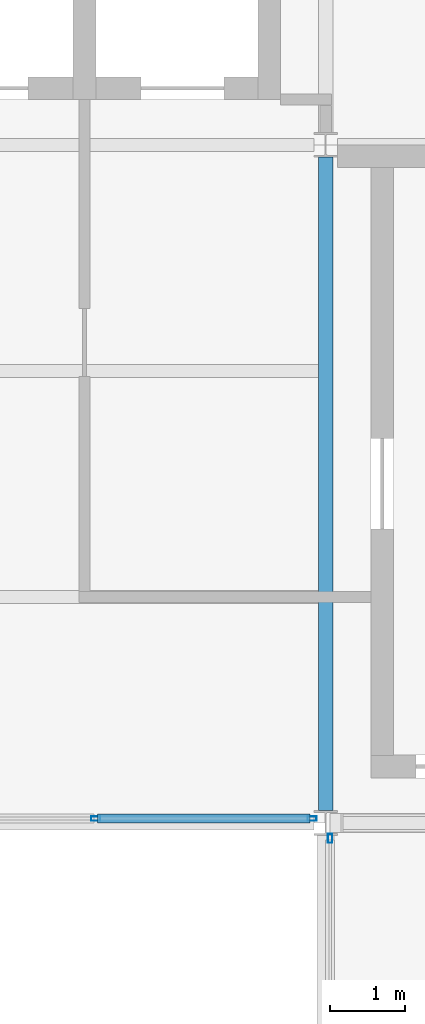
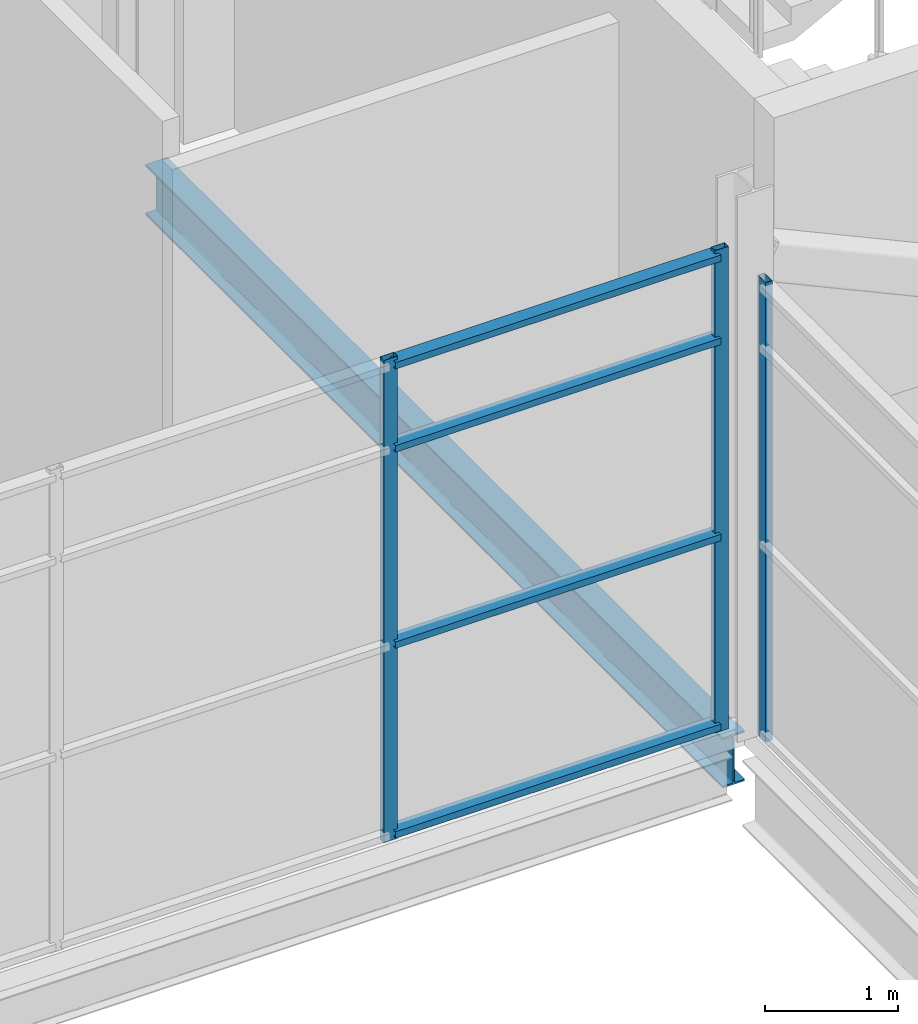
# One storey, part 55 of 112: 7 members, 1 beam, 2 elements without a shape of their own.
"""IFC4 building model written with IfcOpenShell, lengths in metres."""

from ifc_helpers import new_model, si_unit, direction, frame, origin, origin_2d, place, context, subcontext, project, spatial, hollow_rectangle, i_section, extrude, material, layer, layer_set, material_profile, profile_set, type_object, element, aggregate, save


model = new_model("IFC4")

# Units and contexts
model_context = context("Model", 3, precision=1e-05, world=origin(), true_north=direction((0.0, 1.0)))
body_context = subcontext(model_context, "Body", "Model", "MODEL_VIEW")
ifc_project = project(units=[si_unit("LENGTHUNIT", "METRE"), si_unit("AREAUNIT", "SQUARE_METRE"), si_unit("VOLUMEUNIT", "CUBIC_METRE"), si_unit("PLANEANGLEUNIT", "RADIAN"), si_unit("MASSUNIT", "GRAM", prefix="KILO")], contexts=[model_context])

# Site, building, storey
site_placement = place(None, origin())
site = spatial("IfcSite", under=ifc_project, at=site_placement, CompositionType="ELEMENT")
building_placement = place(site_placement, origin())
building = spatial("IfcBuilding", under=site, at=building_placement, Name="Shorebreak Coast Museum", CompositionType="ELEMENT")
storey_placement = place(building_placement, frame((0.0, 0.0, 6.0)))
storey = spatial("IfcBuildingStorey", under=building, at=storey_placement, Name="L01", CompositionType="ELEMENT", Elevation=6.0)

# Beam
ifc_material_1 = material(Name="Steel Grade 300", Category="steel")
ifc_material_profile_1 = material_profile(ifc_material_1, i_section(OverallWidth=0.19091796875, OverallDepth=0.46044921875, WebThickness=0.010009765625, FlangeThickness=0.01611328125, FilletRadius=0.011474609375, at=origin_2d()), Name="460UB82.1")
ifc_profile_set_1 = profile_set([ifc_material_profile_1], Name="Steel Grade 300")
beam_type = type_object("IfcBeamType", Name="Floor girder north-south 460UB82.1", PredefinedType="BEAM", material=ifc_profile_set_1)
beam_placement = place(storey_placement, frame((108.0, 81.16357421875, -0.4052734375), z_axis=(0.0, 1.0, 0.0), x_axis=(-1.0, 0.0, 0.0)))
element("IfcBeam", 1, at=beam_placement, inside=storey, type_object=beam_type, Name="Floor girder north-south L01 13K", PredefinedType="BEAM", context=body_context, shape_type="SweptSolid", body=[
    extrude(i_section(OverallWidth=0.19091796875, OverallDepth=0.46044921875, WebThickness=0.010009765625, FlangeThickness=0.01611328125, FilletRadius=0.011474609375, at=origin_2d()), origin(), (0.0, 0.0, 1.0), 8.6728515625),
])

# Curtain wall, members
ifc_material_2 = material(Name="Aluminium", Category="aluminium")
ifc_layer = layer(ifc_material_2, 0.1201171875)
ifc_layer_set = layer_set([ifc_layer], Name="Aluminium")
curtain_wall_type = type_object("IfcCurtainWallType", Name="Atrium fire screen", PredefinedType="NOTDEFINED", material=ifc_layer_set)
curtain_wall_1_placement = place(storey_placement, origin())
curtain_wall_1 = element("IfcCurtainWall", 2, at=curtain_wall_1_placement, inside=storey, type_object=curtain_wall_type, Name="Atrium screen L01 N 11", PredefinedType="NOTDEFINED")
ifc_material_3 = material(Name="Aluminium", Category="aluminium")
ifc_material_profile_2 = material_profile(ifc_material_3, hollow_rectangle(XDim=0.06005859375, YDim=0.1201171875, WallThickness=0.00341796875, at=origin_2d()), Name="AL 120x60 RHS")
ifc_profile_set_2 = profile_set([ifc_material_profile_2], Name="Aluminium")
member_type_1 = type_object("IfcMemberType", Name="Screen mullion 50 x 120", PredefinedType="MULLION", material=ifc_profile_set_2)
member_1_placement = place(storey_placement, frame((104.9482421875, 81.06005859375, 0.0), z_axis=(0.0, 0.0, 1.0), x_axis=(0.0, 1.0, 0.0)))
member_1 = element("IfcMember", 3, at=member_1_placement, type_object=member_type_1, Name="CW6 mullion 3", PredefinedType="MULLION", context=body_context, shape_type="SweptSolid", body=[
    extrude(hollow_rectangle(XDim=0.06005859375, YDim=0.1201171875, WallThickness=0.00341796875, at=origin_2d()), origin(), (0.0, 0.0, 1.0), 4.42236328125),
])
member_2_placement = place(storey_placement, frame((107.819580078125, 81.06005859375, 0.0), z_axis=(0.0, 0.0, 1.0), x_axis=(0.0, 1.0, 0.0)))
member_2 = element("IfcMember", 4, at=member_2_placement, type_object=member_type_1, Name="CW6 mullion 4", PredefinedType="MULLION", context=body_context, shape_type="SweptSolid", body=[
    extrude(hollow_rectangle(XDim=0.06005859375, YDim=0.1201171875, WallThickness=0.00341796875, at=origin_2d()), origin(), (0.0, 0.0, 1.0), 4.42236328125),
])

# Curtain wall, member
curtain_wall_2_placement = place(storey_placement, origin())
curtain_wall_2 = element("IfcCurtainWall", 5, at=curtain_wall_2_placement, inside=storey, type_object=curtain_wall_type, Name="Atrium screen L01 E 15", PredefinedType="NOTDEFINED")
member_3_placement = place(storey_placement, frame((108.06005859375, 80.79736328125, 0.0), z_axis=(0.0, 0.0, 1.0), x_axis=(-1.0, 0.0, 0.0)))
member_3 = element("IfcMember", 6, at=member_3_placement, type_object=member_type_1, Name="CW4 mullion 4", PredefinedType="MULLION", context=body_context, shape_type="SweptSolid", body=[
    extrude(hollow_rectangle(XDim=0.06005859375, YDim=0.1201171875, WallThickness=0.00341796875, at=origin_2d()), origin(), (0.0, 0.0, 1.0), 4.212890625),
])
aggregate(curtain_wall_2, [member_3])

# Member
ifc_material_4 = material(Name="Aluminium", Category="aluminium")
ifc_material_profile_3 = material_profile(ifc_material_4, hollow_rectangle(XDim=0.1201171875, YDim=0.06005859375, WallThickness=0.00341796875, at=origin_2d()), Name="AL 60x120 RHS")
ifc_profile_set_3 = profile_set([ifc_material_profile_3], Name="Aluminium")
member_type_2 = type_object("IfcMemberType", Name="Screen transom 120 x 50", PredefinedType="USERDEFINED", material=ifc_profile_set_3)
member_4_placement = place(storey_placement, frame((104.97314453125, 81.06005859375, 0.06005859375), z_axis=(1.0, 0.0, 0.0), x_axis=(0.0, 1.0, 0.0)))
member_4 = element("IfcMember", 7, at=member_4_placement, type_object=member_type_2, Name="CW6 transom 3.1", ObjectType="TRANSOM", PredefinedType="USERDEFINED", context=body_context, shape_type="SweptSolid", body=[
    extrude(hollow_rectangle(XDim=0.1201171875, YDim=0.06005859375, WallThickness=0.00341796875, at=origin_2d()), origin(), (0.0, 0.0, 1.0), 2.8212890625),
])

member_5_placement = place(storey_placement, frame((104.97314453125, 81.06005859375, 1.800048828125), z_axis=(1.0, 0.0, 0.0), x_axis=(0.0, 1.0, 0.0)))
member_5 = element("IfcMember", 8, at=member_5_placement, type_object=member_type_2, Name="CW6 transom 3.2", ObjectType="TRANSOM", PredefinedType="USERDEFINED", context=body_context, shape_type="SweptSolid", body=[
    extrude(hollow_rectangle(XDim=0.1201171875, YDim=0.06005859375, WallThickness=0.00341796875, at=origin_2d()), origin(), (0.0, 0.0, 1.0), 2.8212890625),
])

member_6_placement = place(storey_placement, frame((104.97314453125, 81.06005859375, 3.60009765625), z_axis=(1.0, 0.0, 0.0), x_axis=(0.0, 1.0, 0.0)))
member_6 = element("IfcMember", 9, at=member_6_placement, type_object=member_type_2, Name="CW6 transom 3.3", ObjectType="TRANSOM", PredefinedType="USERDEFINED", context=body_context, shape_type="SweptSolid", body=[
    extrude(hollow_rectangle(XDim=0.1201171875, YDim=0.06005859375, WallThickness=0.00341796875, at=origin_2d()), origin(), (0.0, 0.0, 1.0), 2.8212890625),
])

member_7_placement = place(storey_placement, frame((104.97314453125, 81.06005859375, 4.3623046875), z_axis=(1.0, 0.0, 0.0), x_axis=(0.0, 1.0, 0.0)))
member_7 = element("IfcMember", 10, at=member_7_placement, type_object=member_type_2, Name="CW6 transom 3.4", ObjectType="TRANSOM", PredefinedType="USERDEFINED", context=body_context, shape_type="SweptSolid", body=[
    extrude(hollow_rectangle(XDim=0.1201171875, YDim=0.06005859375, WallThickness=0.00341796875, at=origin_2d()), origin(), (0.0, 0.0, 1.0), 2.8212890625),
])

aggregate(curtain_wall_1, [member_1, member_2, member_4, member_5, member_6, member_7])

save(model, "model.ifc")
